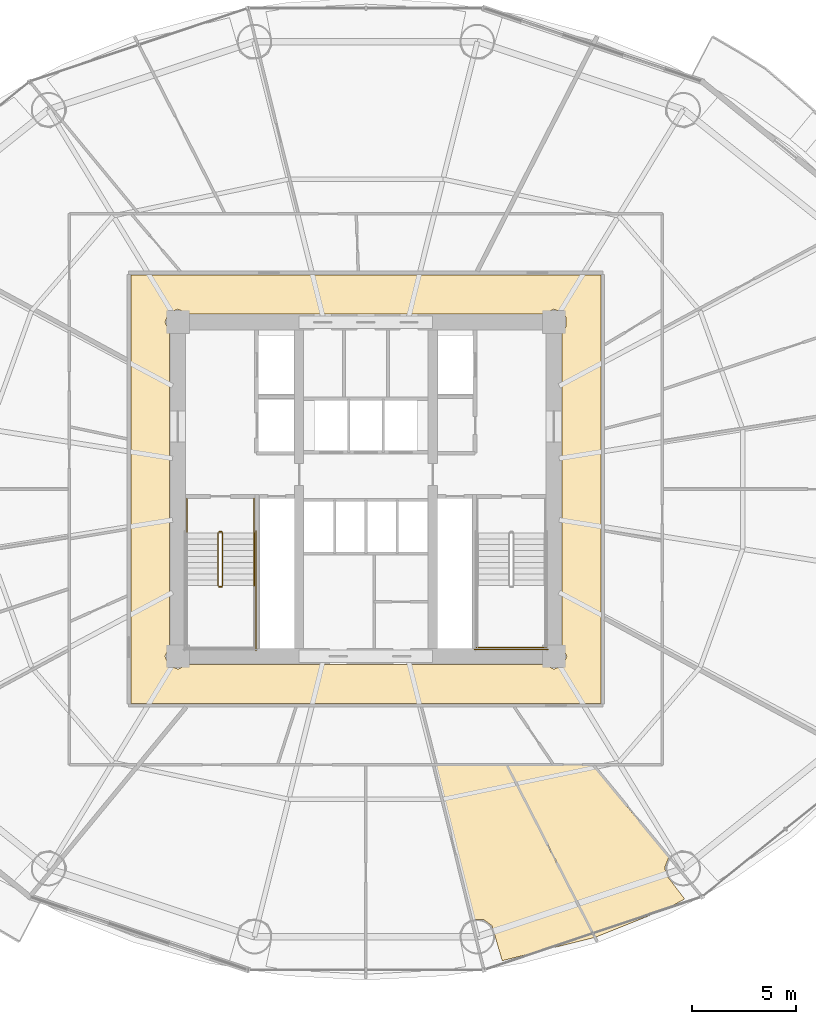
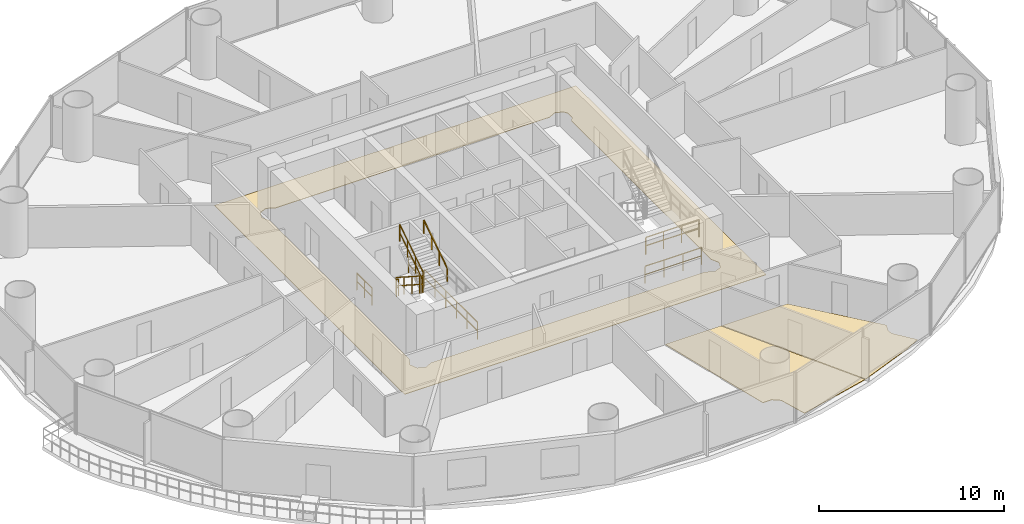
# One storey, part 27 of 29: 10 railings, 3 coverings.
"""IFC4 building model written with IfcOpenShell, lengths in metres."""

from ifc_helpers import new_model, si_unit, direction, frame, origin, origin_2d, place, context, subcontext, project, spatial, polyline, rectangle, outline, extrude, material, layer, layer_set, type_object, element, save


model = new_model("IFC4")

# Units and contexts
model_context = context("Model", 3, precision=1e-05, world=origin(), true_north=direction((-0.2419218956, 0.970295726276)))
body_context = subcontext(model_context, "Body", "Model", "MODEL_VIEW")
ifc_project = project(units=[si_unit("LENGTHUNIT", "METRE"), si_unit("AREAUNIT", "SQUARE_METRE"), si_unit("VOLUMEUNIT", "CUBIC_METRE"), si_unit("PLANEANGLEUNIT", "RADIAN"), si_unit("MASSUNIT", "GRAM", prefix="KILO")], contexts=[model_context])

# Site, building, storey
site_placement = place(None, origin())
site = spatial("IfcSite", under=ifc_project, at=site_placement, CompositionType="ELEMENT")
building_placement = place(site_placement, origin())
building = spatial("IfcBuilding", under=site, at=building_placement, Name="Cobrevalo Terracotta Tower", CompositionType="ELEMENT")
storey_placement = place(building_placement, frame((0.0, 0.0, 45.60009765625)))
storey = spatial("IfcBuildingStorey", under=building, at=storey_placement, Name="L11", CompositionType="ELEMENT", Elevation=45.60009765625)

# Coverings
ifc_material_1 = material(Name="Engineered Brazilian hardwood flooring", Category="wood")
ifc_layer_1 = layer(ifc_material_1, 0.028076171875)
ifc_layer_set_1 = layer_set([ifc_layer_1], Name="Engineered Brazilian hardwood flooring")
covering_type_1 = type_object("IfcCoveringType", Name="Engineered Hardwood Suite Flooring 28", PredefinedType="FLOORING", material=ifc_layer_set_1)
covering_1_placement = place(storey_placement, origin())
element("IfcCovering", 1, at=covering_1_placement, inside=storey, type_object=covering_type_1, Name="Flat L11D Principal Guest Bedroom floor finish", PredefinedType="FLOORING", context=body_context, shape_type="SweptSolid", body=[
    extrude(outline(polyline([(44.527587890625, 4.2255859375), (44.04345703125, 5.89306640625), (43.63330078125, 6.197998046875), (43.075439453125, 6.20703125), (41.264404296875, 13.5849609375), (44.732421875, 13.5849609375), (48.948974609375, 5.336181640625), (44.527587890625, 4.2255859375)])), origin(), (0.0, 0.0, 1.0), 0.02978515625),
])
covering_2_placement = place(storey_placement, origin())
element("IfcCovering", 2, at=covering_2_placement, inside=storey, type_object=covering_type_1, Name="Flat L11D Penthouse Family Lounge floor finish", PredefinedType="FLOORING", context=body_context, shape_type="SweptSolid", body=[
    extrude(outline(polyline([(48.9873046875, 5.3486328125), (44.77734375, 13.5849609375), (48.87060546875, 13.5849609375), (52.5048828125, 9.177490234375), (52.318115234375, 8.71044921875), (52.35498046875, 8.369140625), (53.26318359375, 7.178955078125), (52.361572265625, 6.691650390625), (48.9873046875, 5.3486328125)])), origin(), (0.0, 0.0, 1.0), 0.02978515625),
])
ifc_material_2 = material(Name="Honed terracotta and granite tile", Category="masonry")
ifc_layer_2 = layer(ifc_material_2, 0.034912109375)
ifc_layer_set_2 = layer_set([ifc_layer_2], Name="Honed terracotta and granite tile")
covering_type_2 = type_object("IfcCoveringType", Name="Honed Terracotta & Granite Interior Flooring 35", PredefinedType="FLOORING", material=ifc_layer_set_2)
covering_3_placement = place(storey_placement, origin())
element("IfcCovering", 3, at=covering_3_placement, inside=storey, type_object=covering_type_2, Name="L11 Residential Floor Corridor floor finish", PredefinedType="FLOORING", context=body_context, shape_type="SweptSolid", body=[
    extrude(outline(polyline([(49.2548828125, 37.054931640625), (49.2548828125, 16.544921875), (26.7451171875, 16.544921875), (26.7451171875, 37.054931640625), (49.2548828125, 37.054931640625)]), holes=[polyline([(47.39501953125, 34.33203125), (47.5732421875, 34.5625), (47.5732421875, 35.037353515625), (47.438720703125, 35.23876953125), (47.0, 35.42041015625), (46.5322265625, 35.195068359375), (29.4677734375, 35.195068359375), (29.0, 35.42041015625), (28.561279296875, 35.23876953125), (28.379638671875, 34.800048828125), (28.60498046875, 34.33203125), (28.60498046875, 19.267822265625), (28.379638671875, 18.800048828125), (28.561279296875, 18.361328125), (29.0, 18.1796875), (29.4677734375, 18.405029296875), (46.5322265625, 18.405029296875), (47.0, 18.1796875), (47.438720703125, 18.361328125), (47.620361328125, 18.800048828125), (47.39501953125, 19.267822265625), (47.39501953125, 34.33203125)])]), origin(), (0.0, 0.0, 1.0), 0.02978515625),
])

# Railings
ifc_material_3 = material(Name="Brushed stainless steel", Category="steel")
railing_type_1 = type_object("IfcRailingType", Name="Stainless Steel Stair Handrail 900", PredefinedType="HANDRAIL", material=ifc_material_3)
railing_1_placement = place(storey_placement, frame((32.64501953125, 22.179931640625, 1.97998046875)))
element("IfcRailing", 4, at=railing_1_placement, inside=storey, type_object=railing_type_1, Name="L11 ST-1 stair handrail 2", PredefinedType="HANDRAIL", context=body_context, shape_type="SweptSolid", body=[
    extrude(rectangle(XDim=0.048095703125, YDim=0.048095703125, at=origin_2d()), frame((0.0, 0.0, 0.8759765625), z_axis=(0.0, 0.841199657755, 0.540724639528), x_axis=(-1.0, 0.0, 0.0)), (0.0, 0.0, 1.0), 2.995849609375),
    extrude(rectangle(XDim=0.0419921875, YDim=0.0419921875, at=origin_2d()), origin(), (0.0, 0.0, 1.0), 0.851806640625),
    extrude(rectangle(XDim=0.0419921875, YDim=0.0419921875, at=origin_2d()), frame((0.0, 0.840087890625, 0.5400390625)), (0.0, 0.0, 1.0), 0.851806640625),
    extrude(rectangle(XDim=0.0419921875, YDim=0.0419921875, at=origin_2d()), frame((0.0, 1.679931640625, 1.079833984375)), (0.0, 0.0, 1.0), 0.851806640625),
    extrude(rectangle(XDim=0.0419921875, YDim=0.0419921875, at=origin_2d()), frame((0.0, 2.52001953125, 1.619873046875)), (0.0, 0.0, 1.0), 0.851806640625),
])
ifc_material_4 = material(Name="Painted galvanized steel", Category="steel")
railing_type_2 = type_object("IfcRailingType", Name="Stair Well Guard Balustrade 1150", PredefinedType="GUARDRAIL", material=ifc_material_4)
railing_2_placement = place(storey_placement, frame((30.925048828125, 24.699951171875, 0.179931640625)))
element("IfcRailing", 5, at=railing_2_placement, inside=storey, type_object=railing_type_2, Name="L11 ST-1 stair guard 1", PredefinedType="GUARDRAIL", context=body_context, shape_type="SweptSolid", body=[
    extrude(rectangle(XDim=0.048095703125, YDim=0.048095703125, at=origin_2d()), frame((0.0, 0.0, 1.1259765625), z_axis=(0.0, -0.841199657755, 0.540724639528), x_axis=(1.0, 0.0, 0.0)), (0.0, 0.0, 1.0), 2.995849609375),
    extrude(rectangle(XDim=0.048095703125, YDim=0.048095703125, at=origin_2d()), frame((0.0, 0.0, 0.574951171875), z_axis=(0.0, -0.841199657755, 0.540724639528), x_axis=(1.0, 0.0, 0.0)), (0.0, 0.0, 1.0), 2.995849609375),
    extrude(rectangle(XDim=0.0419921875, YDim=0.0419921875, at=origin_2d()), origin(), (0.0, 0.0, 1.0), 1.101806640625),
    extrude(rectangle(XDim=0.0419921875, YDim=0.0419921875, at=origin_2d()), frame((0.0, -0.840087890625, 0.5400390625)), (0.0, 0.0, 1.0), 1.101806640625),
    extrude(rectangle(XDim=0.0419921875, YDim=0.0419921875, at=origin_2d()), frame((0.0, -1.679931640625, 1.079833984375)), (0.0, 0.0, 1.0), 1.101806640625),
    extrude(rectangle(XDim=0.0419921875, YDim=0.0419921875, at=origin_2d()), frame((0.0, -2.52001953125, 1.619873046875)), (0.0, 0.0, 1.0), 1.101806640625),
])
railing_3_placement = place(storey_placement, frame((30.97509765625, 22.1298828125, 1.7998046875)))
element("IfcRailing", 6, at=railing_3_placement, inside=storey, type_object=railing_type_2, Name="L11 ST-1 stair guard 2", PredefinedType="GUARDRAIL", context=body_context, shape_type="SweptSolid", body=[
    extrude(rectangle(XDim=0.048095703125, YDim=0.048095703125, at=origin_2d()), frame((0.0, 0.0, 1.1259765625), z_axis=(1.0, 0.0, 0.0), x_axis=(0.0, 1.0, 0.0)), (0.0, 0.0, 1.0), 0.119873046875),
    extrude(rectangle(XDim=0.048095703125, YDim=0.048095703125, at=origin_2d()), frame((0.0, 0.0, 0.574951171875), z_axis=(1.0, 0.0, 0.0), x_axis=(0.0, 1.0, 0.0)), (0.0, 0.0, 1.0), 0.119873046875),
    extrude(rectangle(XDim=0.0419921875, YDim=0.0419921875, at=origin_2d()), origin(), (0.0, 0.0, 1.0), 1.101806640625),
    extrude(rectangle(XDim=0.0419921875, YDim=0.0419921875, at=origin_2d()), frame((0.119873046875, 0.0, 0.0)), (0.0, 0.0, 1.0), 1.101806640625),
])
railing_4_placement = place(storey_placement, frame((31.14501953125, 22.179931640625, 1.97998046875)))
element("IfcRailing", 7, at=railing_4_placement, inside=storey, type_object=railing_type_2, Name="L11 ST-1 stair guard 6", PredefinedType="GUARDRAIL", context=body_context, shape_type="SweptSolid", body=[
    extrude(rectangle(XDim=0.048095703125, YDim=0.048095703125, at=origin_2d()), frame((0.0, 0.0, 1.1259765625), z_axis=(0.0, 0.841199657755, 0.540724639528), x_axis=(-1.0, 0.0, 0.0)), (0.0, 0.0, 1.0), 2.995849609375),
    extrude(rectangle(XDim=0.048095703125, YDim=0.048095703125, at=origin_2d()), frame((0.0, 0.0, 0.574951171875), z_axis=(0.0, 0.841199657755, 0.540724639528), x_axis=(-1.0, 0.0, 0.0)), (0.0, 0.0, 1.0), 2.995849609375),
    extrude(rectangle(XDim=0.0419921875, YDim=0.0419921875, at=origin_2d()), origin(), (0.0, 0.0, 1.0), 1.101806640625),
    extrude(rectangle(XDim=0.0419921875, YDim=0.0419921875, at=origin_2d()), frame((0.0, 0.840087890625, 0.5400390625)), (0.0, 0.0, 1.0), 1.101806640625),
    extrude(rectangle(XDim=0.0419921875, YDim=0.0419921875, at=origin_2d()), frame((0.0, 1.679931640625, 1.079833984375)), (0.0, 0.0, 1.0), 1.101806640625),
    extrude(rectangle(XDim=0.0419921875, YDim=0.0419921875, at=origin_2d()), frame((0.0, 2.52001953125, 1.619873046875)), (0.0, 0.0, 1.0), 1.101806640625),
])
railing_5_placement = place(storey_placement, frame((30.97509765625, 24.75, 0.0)))
element("IfcRailing", 8, at=railing_5_placement, inside=storey, type_object=railing_type_2, Name="L11 ST-1 stair guard 7", PredefinedType="GUARDRAIL", context=body_context, shape_type="SweptSolid", body=[
    extrude(rectangle(XDim=0.048095703125, YDim=0.048095703125, at=origin_2d()), frame((0.0, 0.0, 1.1259765625), z_axis=(1.0, 0.0, 0.0), x_axis=(0.0, 1.0, 0.0)), (0.0, 0.0, 1.0), 0.119873046875),
    extrude(rectangle(XDim=0.048095703125, YDim=0.048095703125, at=origin_2d()), frame((0.0, 0.0, 0.574951171875), z_axis=(1.0, 0.0, 0.0), x_axis=(0.0, 1.0, 0.0)), (0.0, 0.0, 1.0), 0.119873046875),
    extrude(rectangle(XDim=0.0419921875, YDim=0.0419921875, at=origin_2d()), origin(), (0.0, 0.0, 1.0), 1.101806640625),
    extrude(rectangle(XDim=0.0419921875, YDim=0.0419921875, at=origin_2d()), frame((0.119873046875, 0.0, 0.0)), (0.0, 0.0, 1.0), 1.101806640625),
])
for number, where, name in (
    (9, (29.425048828125, 26.35009765625, 0.0), "L11 ST-1 stair guard 8"),
    (10, (32.64501953125, 26.35009765625, 0.0), "L11 ST-1 stair guard 9"),
):
    element("IfcRailing", number, at=place(storey_placement, frame(where)), inside=storey, type_object=railing_type_2, Name=name, PredefinedType="GUARDRAIL", context=body_context, shape_type="SweptSolid", body=[
        extrude(rectangle(XDim=0.048095703125, YDim=0.048095703125, at=origin_2d()), frame((0.0, 0.0, 1.1259765625), z_axis=(0.0, -1.0, 0.0), x_axis=(1.0, 0.0, 0.0)), (0.0, 0.0, 1.0), 1.650146484375),
        extrude(rectangle(XDim=0.048095703125, YDim=0.048095703125, at=origin_2d()), frame((0.0, 0.0, 0.574951171875), z_axis=(0.0, -1.0, 0.0), x_axis=(1.0, 0.0, 0.0)), (0.0, 0.0, 1.0), 1.650146484375),
        extrude(rectangle(XDim=0.0419921875, YDim=0.0419921875, at=origin_2d()), origin(), (0.0, 0.0, 1.0), 1.101806640625),
        extrude(rectangle(XDim=0.0419921875, YDim=0.0419921875, at=origin_2d()), frame((0.0, -0.8251953125, 0.0)), (0.0, 0.0, 1.0), 1.101806640625),
        extrude(rectangle(XDim=0.0419921875, YDim=0.0419921875, at=origin_2d()), frame((0.0, -1.650146484375, 0.0)), (0.0, 0.0, 1.0), 1.101806640625),
    ])
railing_6_placement = place(storey_placement, frame((32.7451171875, 24.800048828125, 0.0)))
element("IfcRailing", 11, at=railing_6_placement, inside=storey, type_object=railing_type_2, Name="L11 ST-1 stair guard 11", PredefinedType="GUARDRAIL", context=body_context, shape_type="SweptSolid", body=[
    extrude(rectangle(XDim=0.048095703125, YDim=0.048095703125, at=origin_2d()), frame((0.0, 0.0, 1.1259765625), z_axis=(0.0, -1.0, 0.0), x_axis=(1.0, 0.0, 0.0)), (0.0, 0.0, 1.0), 5.72509765625),
    extrude(rectangle(XDim=0.048095703125, YDim=0.048095703125, at=origin_2d()), frame((0.0, 0.0, 0.574951171875), z_axis=(0.0, -1.0, 0.0), x_axis=(1.0, 0.0, 0.0)), (0.0, 0.0, 1.0), 5.72509765625),
    extrude(rectangle(XDim=0.0419921875, YDim=0.0419921875, at=origin_2d()), origin(), (0.0, 0.0, 1.0), 1.101806640625),
    extrude(rectangle(XDim=0.0419921875, YDim=0.0419921875, at=origin_2d()), frame((0.0, -1.14501953125, 0.0)), (0.0, 0.0, 1.0), 1.101806640625),
    extrude(rectangle(XDim=0.0419921875, YDim=0.0419921875, at=origin_2d()), frame((0.0, -2.2900390625, 0.0)), (0.0, 0.0, 1.0), 1.101806640625),
    extrude(rectangle(XDim=0.0419921875, YDim=0.0419921875, at=origin_2d()), frame((0.0, -3.43505859375, 0.0)), (0.0, 0.0, 1.0), 1.101806640625),
    extrude(rectangle(XDim=0.0419921875, YDim=0.0419921875, at=origin_2d()), frame((0.0, -4.580078125, 0.0)), (0.0, 0.0, 1.0), 1.101806640625),
    extrude(rectangle(XDim=0.0419921875, YDim=0.0419921875, at=origin_2d()), frame((0.0, -5.72509765625, 0.0)), (0.0, 0.0, 1.0), 1.101806640625),
])
railing_7_placement = place(storey_placement, frame((43.304931640625, 19.22509765625, 1.7998046875)))
element("IfcRailing", 12, at=railing_7_placement, inside=storey, type_object=railing_type_2, Name="L11 ST-2 stair guard 5", PredefinedType="GUARDRAIL", context=body_context, shape_type="SweptSolid", body=[
    extrude(rectangle(XDim=0.048095703125, YDim=0.048095703125, at=origin_2d()), frame((0.0, 0.0, 1.1259765625), z_axis=(1.0, 0.0, 0.0), x_axis=(0.0, 1.0, 0.0)), (0.0, 0.0, 1.0), 3.320068359375),
    extrude(rectangle(XDim=0.048095703125, YDim=0.048095703125, at=origin_2d()), frame((0.0, 0.0, 0.574951171875), z_axis=(1.0, 0.0, 0.0), x_axis=(0.0, 1.0, 0.0)), (0.0, 0.0, 1.0), 3.320068359375),
    extrude(rectangle(XDim=0.0419921875, YDim=0.0419921875, at=origin_2d()), origin(), (0.0, 0.0, 1.0), 1.101806640625),
    extrude(rectangle(XDim=0.0419921875, YDim=0.0419921875, at=origin_2d()), frame((1.106689453125, 0.0, 0.0)), (0.0, 0.0, 1.0), 1.101806640625),
    extrude(rectangle(XDim=0.0419921875, YDim=0.0419921875, at=origin_2d()), frame((2.21337890625, 0.0, 0.0)), (0.0, 0.0, 1.0), 1.101806640625),
    extrude(rectangle(XDim=0.0419921875, YDim=0.0419921875, at=origin_2d()), frame((3.320068359375, 0.0, 0.0)), (0.0, 0.0, 1.0), 1.101806640625),
])
railing_8_placement = place(storey_placement, frame((43.205078125, 19.125, 0.0)))
element("IfcRailing", 13, at=railing_8_placement, inside=storey, type_object=railing_type_2, Name="L11 ST-2 stair guard 12", PredefinedType="GUARDRAIL", context=body_context, shape_type="SweptSolid", body=[
    extrude(rectangle(XDim=0.048095703125, YDim=0.048095703125, at=origin_2d()), frame((0.0, 0.0, 1.1259765625), z_axis=(1.0, 0.0, 0.0), x_axis=(0.0, 1.0, 0.0)), (0.0, 0.0, 1.0), 3.52001953125),
    extrude(rectangle(XDim=0.048095703125, YDim=0.048095703125, at=origin_2d()), frame((0.0, 0.0, 0.574951171875), z_axis=(1.0, 0.0, 0.0), x_axis=(0.0, 1.0, 0.0)), (0.0, 0.0, 1.0), 3.52001953125),
    extrude(rectangle(XDim=0.0419921875, YDim=0.0419921875, at=origin_2d()), origin(), (0.0, 0.0, 1.0), 1.101806640625),
    extrude(rectangle(XDim=0.0419921875, YDim=0.0419921875, at=origin_2d()), frame((1.17333984375, 0.0, 0.0)), (0.0, 0.0, 1.0), 1.101806640625),
    extrude(rectangle(XDim=0.0419921875, YDim=0.0419921875, at=origin_2d()), frame((2.3466796875, 0.0, 0.0)), (0.0, 0.0, 1.0), 1.101806640625),
    extrude(rectangle(XDim=0.0419921875, YDim=0.0419921875, at=origin_2d()), frame((3.52001953125, 0.0, 0.0)), (0.0, 0.0, 1.0), 1.101806640625),
])

save(model, "model.ifc")
